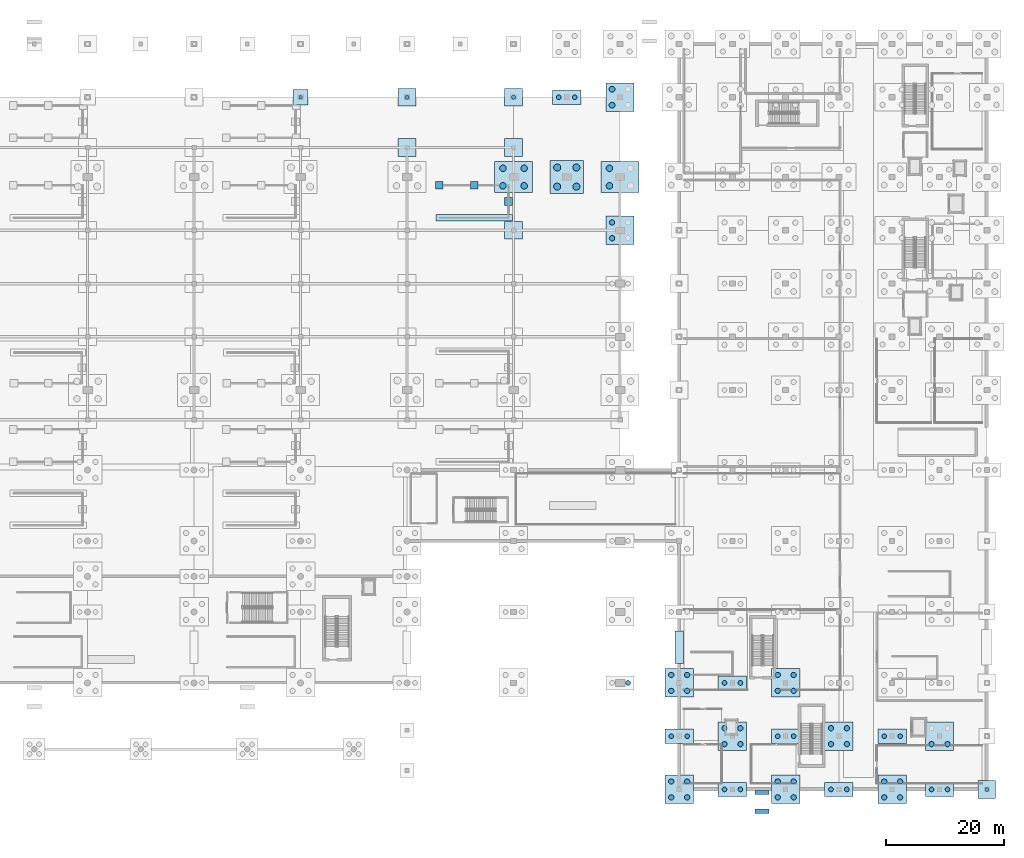
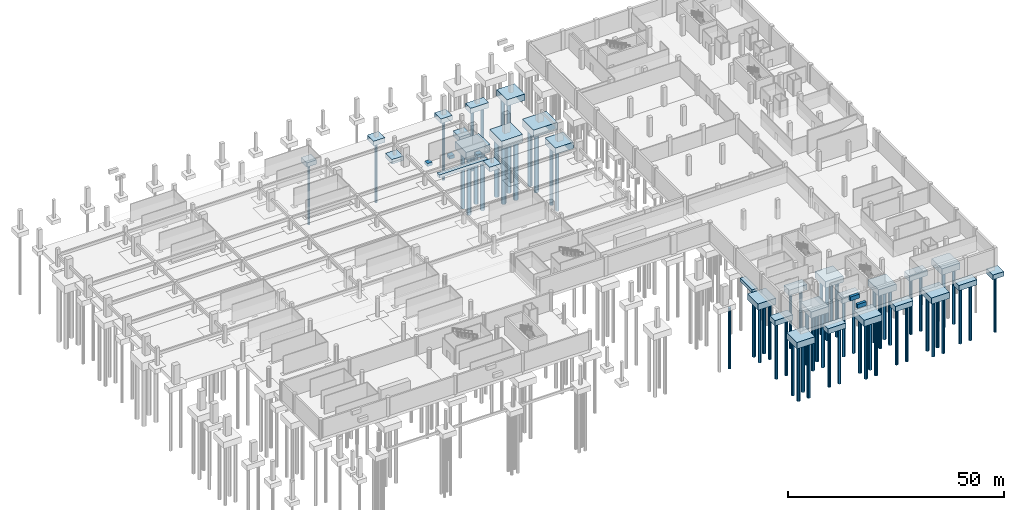
# One storey, part 5 of 26: 65 piles, 35 footings.
"""IFC4 building model written with IfcOpenShell, lengths in metres."""

from ifc_helpers import new_model, si_unit, direction, frame, origin, origin_2d, place, context, subcontext, project, spatial, polyline, circle, outline, extrude, material, material_profile, profile_set, type_object, element, save


model = new_model("IFC4")

# Units and contexts
model_context = context("Model", 3, precision=1e-05, world=origin(), true_north=direction((0.0, 1.0)))
body_context = subcontext(model_context, "Body", "Model", "MODEL_VIEW")
ifc_project = project(units=[si_unit("LENGTHUNIT", "METRE"), si_unit("AREAUNIT", "SQUARE_METRE"), si_unit("VOLUMEUNIT", "CUBIC_METRE"), si_unit("PLANEANGLEUNIT", "RADIAN"), si_unit("MASSUNIT", "GRAM", prefix="KILO")], contexts=[model_context])

# Site, building, storey
site_placement = place(None, origin())
site = spatial("IfcSite", under=ifc_project, at=site_placement, CompositionType="ELEMENT")
building_placement = place(site_placement, origin())
building = spatial("IfcBuilding", under=site, at=building_placement, Name="Chuanluo Vaults Station", CompositionType="ELEMENT")
storey_placement = place(building_placement, frame((0.0, 0.0, -5.39990234375)))
storey = spatial("IfcBuildingStorey", under=building, at=storey_placement, Name="B1", CompositionType="ELEMENT", Elevation=-5.39990234375)

# Footings
ifc_material_1 = material(Name="Concrete C40", Category="concrete")
footing_type_1 = type_object("IfcFootingType", Name="FTG-PAD-100", PredefinedType="PAD_FOOTING", material=ifc_material_1)
footing_1_placement = place(storey_placement, frame((0.0, 0.0, -0.85009765625)))
element("IfcFooting", 1, at=footing_1_placement, inside=storey, type_object=footing_type_1, Name="Stair shaft pad footing ST-15_R-2", PredefinedType="PAD_FOOTING", context=body_context, shape_type="SweptSolid", body=[
    extrude(outline(polyline([(100.6875, 101.449951171875), (101.987548828125, 101.449951171875), (101.987548828125, 102.75), (100.6875, 102.75), (100.6875, 101.449951171875)])), origin(), (0.0, 0.0, 1.0), 0.85009765625),
])
footing_2_placement = place(storey_placement, frame((0.0, 0.0, -0.85009765625)))
element("IfcFooting", 2, at=footing_2_placement, inside=storey, type_object=footing_type_1, Name="Stair shaft pad footing ST-15_R-3", PredefinedType="PAD_FOOTING", context=body_context, shape_type="SweptSolid", body=[
    extrude(outline(polyline([(94.77490234375, 101.449951171875), (96.074951171875, 101.449951171875), (96.074951171875, 102.75), (94.77490234375, 102.75), (94.77490234375, 101.449951171875)])), origin(), (0.0, 0.0, 1.0), 0.85009765625),
])
footing_3_placement = place(storey_placement, frame((0.0, 0.0, -0.85009765625)))
element("IfcFooting", 3, at=footing_3_placement, inside=storey, type_object=footing_type_1, Name="Stair shaft pad footing ST-15_F-2", PredefinedType="PAD_FOOTING", context=body_context, shape_type="SweptSolid", body=[
    extrude(outline(polyline([(106.5, 98.72509765625), (107.800048828125, 98.72509765625), (107.800048828125, 100.02490234375), (106.5, 100.02490234375), (106.5, 98.72509765625)])), origin(), (0.0, 0.0, 1.0), 0.85009765625),
])
ifc_material_2 = material(Name="Concrete C40", Category="concrete")
footing_type_2 = type_object("IfcFootingType", Name="FTG-PC-1", PredefinedType="PILE_CAP", material=ifc_material_2)
footing_4_placement = place(storey_placement, frame((0.0, 0.0, -2.2001953125)))
element("IfcFooting", 4, at=footing_4_placement, inside=storey, type_object=footing_type_2, Name="Pile cap PC-070", PredefinedType="PILE_CAP", context=body_context, shape_type="SweptSolid", body=[
    extrude(outline(polyline([(114.199951171875, 100.699951171875), (119.800048828125, 100.699951171875), (119.800048828125, 106.300048828125), (114.199951171875, 106.300048828125), (114.199951171875, 100.699951171875)])), origin(), (0.0, 0.0, 1.0), 2.2001953125),
])
ifc_material_3 = material(Name="Concrete C40", Category="concrete")
footing_type_3 = type_object("IfcFootingType", Name="FTG-PC-11", PredefinedType="PAD_FOOTING", material=ifc_material_3)
footing_5_placement = place(storey_placement, frame((0.0, 0.0, 4.119873046875)))
element("IfcFooting", 5, at=footing_5_placement, inside=storey, type_object=footing_type_3, Name="Accessible ramp foundation pad RM-A3-1", PredefinedType="PAD_FOOTING", context=body_context, shape_type="SweptSolid", body=[
    extrude(outline(polyline([(148.800048828125, -4.050048828125), (151.199951171875, -4.050048828125), (151.199951171875, -3.35009765625), (148.800048828125, -3.35009765625), (148.800048828125, -4.050048828125)])), origin(), (0.0, 0.0, 1.0), 1.10009765625),
])
footing_6_placement = place(storey_placement, frame((0.0, 0.0, 4.2998046875)))
element("IfcFooting", 6, at=footing_6_placement, inside=storey, type_object=footing_type_3, Name="Accessible ramp foundation pad RM-A3-2", PredefinedType="PAD_FOOTING", context=body_context, shape_type="SweptSolid", body=[
    extrude(outline(polyline([(148.800048828125, -0.85009765625), (151.199951171875, -0.85009765625), (151.199951171875, -0.14990234375), (148.800048828125, -0.14990234375), (148.800048828125, -0.85009765625)])), origin(), (0.0, 0.0, 1.0), 1.10009765625),
])
ifc_material_4 = material(Name="Concrete C40", Category="concrete")
footing_type_4 = type_object("IfcFootingType", Name="FTG-PC-2", PredefinedType="PILE_CAP", material=ifc_material_4)
footing_7_placement = place(storey_placement, frame((0.0, 0.0, -1.800048828125)))
element("IfcFooting", 7, at=footing_7_placement, inside=storey, type_object=footing_type_4, Name="Pile cap PC-080", PredefinedType="PILE_CAP", context=body_context, shape_type="SweptSolid", body=[
    extrude(outline(polyline([(123.60009765625, 92.10009765625), (128.39990234375, 92.10009765625), (128.39990234375, 96.89990234375), (123.60009765625, 96.89990234375), (123.60009765625, 92.10009765625)])), origin(), (0.0, 0.0, 1.0), 1.800048828125),
])
footing_8_placement = place(storey_placement, frame((0.0, 0.0, -1.800048828125)))
element("IfcFooting", 8, at=footing_8_placement, inside=storey, type_object=footing_type_4, Name="Pile cap PC-082", PredefinedType="PILE_CAP", context=body_context, shape_type="SweptSolid", body=[
    extrude(outline(polyline([(123.60009765625, 114.60009765625), (128.39990234375, 114.60009765625), (128.39990234375, 119.39990234375), (123.60009765625, 119.39990234375), (123.60009765625, 114.60009765625)])), origin(), (0.0, 0.0, 1.0), 1.800048828125),
])
footing_9_placement = place(storey_placement, frame((0.0, 0.0, -3.0)))
element("IfcFooting", 9, at=footing_9_placement, inside=storey, type_object=footing_type_4, Name="Pile cap PC-084", PredefinedType="PILE_CAP", context=body_context, shape_type="SweptSolid", body=[
    extrude(outline(polyline([(133.60009765625, -2.39990234375), (138.39990234375, -2.39990234375), (138.39990234375, 2.39990234375), (133.60009765625, 2.39990234375), (133.60009765625, -2.39990234375)])), origin(), (0.0, 0.0, 1.0), 1.7998046875),
])
footing_10_placement = place(storey_placement, frame((0.0, 0.0, -3.0)))
element("IfcFooting", 10, at=footing_10_placement, inside=storey, type_object=footing_type_4, Name="Pile cap PC-086", PredefinedType="PILE_CAP", context=body_context, shape_type="SweptSolid", body=[
    extrude(outline(polyline([(133.60009765625, 15.60009765625), (138.39990234375, 15.60009765625), (138.39990234375, 20.39990234375), (133.60009765625, 20.39990234375), (133.60009765625, 15.60009765625)])), origin(), (0.0, 0.0, 1.0), 1.7998046875),
])
footing_11_placement = place(storey_placement, frame((0.0, 0.0, -3.0)))
element("IfcFooting", 11, at=footing_11_placement, inside=storey, type_object=footing_type_4, Name="Pile cap PC-098", PredefinedType="PILE_CAP", context=body_context, shape_type="SweptSolid", body=[
    extrude(outline(polyline([(142.60009765625, 6.60009765625), (147.39990234375, 6.60009765625), (147.39990234375, 11.39990234375), (142.60009765625, 11.39990234375), (142.60009765625, 6.60009765625)])), origin(), (0.0, 0.0, 1.0), 1.7998046875),
])
footing_12_placement = place(storey_placement, frame((0.0, 0.0, -3.0)))
element("IfcFooting", 12, at=footing_12_placement, inside=storey, type_object=footing_type_4, Name="Pile cap PC-110", PredefinedType="PILE_CAP", context=body_context, shape_type="SweptSolid", body=[
    extrude(outline(polyline([(151.60009765625, -2.39990234375), (156.39990234375, -2.39990234375), (156.39990234375, 2.39990234375), (151.60009765625, 2.39990234375), (151.60009765625, -2.39990234375)])), origin(), (0.0, 0.0, 1.0), 1.7998046875),
])
footing_13_placement = place(storey_placement, frame((0.0, 0.0, -3.0)))
element("IfcFooting", 13, at=footing_13_placement, inside=storey, type_object=footing_type_4, Name="Pile cap PC-112", PredefinedType="PILE_CAP", context=body_context, shape_type="SweptSolid", body=[
    extrude(outline(polyline([(151.60009765625, 15.60009765625), (156.39990234375, 15.60009765625), (156.39990234375, 20.39990234375), (151.60009765625, 20.39990234375), (151.60009765625, 15.60009765625)])), origin(), (0.0, 0.0, 1.0), 1.7998046875),
])
footing_14_placement = place(storey_placement, frame((0.0, 0.0, -3.0)))
element("IfcFooting", 14, at=footing_14_placement, inside=storey, type_object=footing_type_4, Name="Pile cap PC-124", PredefinedType="PILE_CAP", context=body_context, shape_type="SweptSolid", body=[
    extrude(outline(polyline([(160.60009765625, 6.60009765625), (165.39990234375, 6.60009765625), (165.39990234375, 11.39990234375), (160.60009765625, 11.39990234375), (160.60009765625, 6.60009765625)])), origin(), (0.0, 0.0, 1.0), 1.7998046875),
])
footing_15_placement = place(storey_placement, frame((0.0, 0.0, -3.0)))
element("IfcFooting", 15, at=footing_15_placement, inside=storey, type_object=footing_type_4, Name="Pile cap PC-136", PredefinedType="PILE_CAP", context=body_context, shape_type="SweptSolid", body=[
    extrude(outline(polyline([(169.60009765625, -2.39990234375), (174.39990234375, -2.39990234375), (174.39990234375, 2.39990234375), (169.60009765625, 2.39990234375), (169.60009765625, -2.39990234375)])), origin(), (0.0, 0.0, 1.0), 1.7998046875),
])
footing_16_placement = place(storey_placement, frame((0.0, 0.0, -3.0)))
element("IfcFooting", 16, at=footing_16_placement, inside=storey, type_object=footing_type_4, Name="Pile cap PC-150", PredefinedType="PILE_CAP", context=body_context, shape_type="SweptSolid", body=[
    extrude(outline(polyline([(177.60009765625, 6.60009765625), (182.39990234375, 6.60009765625), (182.39990234375, 11.39990234375), (177.60009765625, 11.39990234375), (177.60009765625, 6.60009765625)])), origin(), (0.0, 0.0, 1.0), 1.7998046875),
])
ifc_material_5 = material(Name="Concrete C40", Category="concrete")
footing_type_5 = type_object("IfcFootingType", Name="FTG-PC-5", PredefinedType="PILE_CAP", material=ifc_material_5)
footing_17_placement = place(storey_placement, frame((0.0, 0.0, -1.300048828125)))
element("IfcFooting", 17, at=footing_17_placement, inside=storey, type_object=footing_type_5, Name="Pile cap PC-060", PredefinedType="PILE_CAP", context=body_context, shape_type="SweptSolid", body=[
    extrude(outline(polyline([(88.5, 115.5), (91.5, 115.5), (91.5, 118.5), (88.5, 118.5), (88.5, 115.5)])), origin(), (0.0, 0.0, 1.0), 1.300048828125),
])
footing_18_placement = place(storey_placement, frame((0.0, 0.0, -1.300048828125)))
element("IfcFooting", 18, at=footing_18_placement, inside=storey, type_object=footing_type_5, Name="Pile cap PC-068", PredefinedType="PILE_CAP", context=body_context, shape_type="SweptSolid", body=[
    extrude(outline(polyline([(106.5, 115.5), (109.5, 115.5), (109.5, 118.5), (106.5, 118.5), (106.5, 115.5)])), origin(), (0.0, 0.0, 1.0), 1.300048828125),
])
footing_19_placement = place(storey_placement, frame((0.0, 0.0, -2.5)))
element("IfcFooting", 19, at=footing_19_placement, inside=storey, type_object=footing_type_5, Name="Pile cap PC-162", PredefinedType="PILE_CAP", context=body_context, shape_type="SweptSolid", body=[
    extrude(outline(polyline([(186.5, -1.5), (189.5, -1.5), (189.5, 1.5), (186.5, 1.5), (186.5, -1.5)])), origin(), (0.0, 0.0, 1.0), 1.2998046875),
])
footing_20_placement = place(storey_placement, frame((0.0, 0.0, -1.300048828125)))
element("IfcFooting", 20, at=footing_20_placement, inside=storey, type_object=footing_type_5, Name="Platform pier footing TRK-051", PredefinedType="PILE_CAP", context=body_context, shape_type="SweptSolid", body=[
    extrude(outline(polyline([(106.5, 93.0), (109.5, 93.0), (109.5, 96.0), (106.5, 96.0), (106.5, 93.0)])), origin(), (0.0, 0.0, 1.0), 1.300048828125),
])
footing_21_placement = place(storey_placement, frame((0.0, 0.0, -1.300048828125)))
element("IfcFooting", 21, at=footing_21_placement, inside=storey, type_object=footing_type_5, Name="Platform pier footing TRK-063", PredefinedType="PILE_CAP", context=body_context, shape_type="SweptSolid", body=[
    extrude(outline(polyline([(88.5, 107.0), (91.5, 107.0), (91.5, 110.0), (88.5, 110.0), (88.5, 107.0)])), origin(), (0.0, 0.0, 1.0), 1.300048828125),
])
footing_22_placement = place(storey_placement, frame((0.0, 0.0, -1.300048828125)))
element("IfcFooting", 22, at=footing_22_placement, inside=storey, type_object=footing_type_5, Name="Platform pier footing TRK-065", PredefinedType="PILE_CAP", context=body_context, shape_type="SweptSolid", body=[
    extrude(outline(polyline([(106.5, 107.0), (109.5, 107.0), (109.5, 110.0), (106.5, 110.0), (106.5, 107.0)])), origin(), (0.0, 0.0, 1.0), 1.300048828125),
])
ifc_material_6 = material(Name="Concrete C40", Category="concrete")
footing_type_6 = type_object("IfcFootingType", Name="FTG-PC-6", PredefinedType="PILE_CAP", material=ifc_material_6)
footing_23_placement = place(storey_placement, frame((0.0, 0.0, -1.2001953125)))
element("IfcFooting", 23, at=footing_23_placement, inside=storey, type_object=footing_type_6, Name="Pile cap PC-051", PredefinedType="PILE_CAP", context=body_context, shape_type="SweptSolid", body=[
    extrude(outline(polyline([(70.699951171875, 115.699951171875), (73.300048828125, 115.699951171875), (73.300048828125, 118.300048828125), (70.699951171875, 118.300048828125), (70.699951171875, 115.699951171875)])), origin(), (0.0, 0.0, 1.0), 1.2001953125),
])
ifc_material_7 = material(Name="Concrete C40", Category="concrete")
footing_type_7 = type_object("IfcFootingType", Name="FTG-PC-7", PredefinedType="PILE_CAP", material=ifc_material_7)
footing_24_placement = place(storey_placement, frame((0.0, 0.0, -1.5)))
element("IfcFooting", 24, at=footing_24_placement, inside=storey, type_object=footing_type_7, Name="Pile cap PC-071", PredefinedType="PILE_CAP", context=body_context, shape_type="SweptSolid", body=[
    extrude(outline(polyline([(114.60009765625, 115.800048828125), (119.39990234375, 115.800048828125), (119.39990234375, 118.199951171875), (114.60009765625, 118.199951171875), (114.60009765625, 115.800048828125)])), origin(), (0.0, 0.0, 1.0), 1.5),
])
footing_25_placement = place(storey_placement, frame((0.0, 0.0, -2.7001953125)))
element("IfcFooting", 25, at=footing_25_placement, inside=storey, type_object=footing_type_7, Name="Pile cap PC-085", PredefinedType="PILE_CAP", context=body_context, shape_type="SweptSolid", body=[
    extrude(outline(polyline([(133.60009765625, 7.800048828125), (138.39990234375, 7.800048828125), (138.39990234375, 10.199951171875), (133.60009765625, 10.199951171875), (133.60009765625, 7.800048828125)])), origin(), (0.0, 0.0, 1.0), 1.5),
])
footing_26_placement = place(storey_placement, frame((0.0, 0.0, -2.7001953125)))
element("IfcFooting", 26, at=footing_26_placement, inside=storey, type_object=footing_type_7, Name="Pile cap PC-097", PredefinedType="PILE_CAP", context=body_context, shape_type="SweptSolid", body=[
    extrude(outline(polyline([(142.60009765625, -1.199951171875), (147.39990234375, -1.199951171875), (147.39990234375, 1.199951171875), (142.60009765625, 1.199951171875), (142.60009765625, -1.199951171875)])), origin(), (0.0, 0.0, 1.0), 1.5),
])
footing_27_placement = place(storey_placement, frame((0.0, 0.0, -2.7001953125)))
element("IfcFooting", 27, at=footing_27_placement, inside=storey, type_object=footing_type_7, Name="Pile cap PC-099", PredefinedType="PILE_CAP", context=body_context, shape_type="SweptSolid", body=[
    extrude(outline(polyline([(142.60009765625, 16.800048828125), (147.39990234375, 16.800048828125), (147.39990234375, 19.199951171875), (142.60009765625, 19.199951171875), (142.60009765625, 16.800048828125)])), origin(), (0.0, 0.0, 1.0), 1.5),
])
footing_28_placement = place(storey_placement, frame((0.0, 0.0, -2.7001953125)))
element("IfcFooting", 28, at=footing_28_placement, inside=storey, type_object=footing_type_7, Name="Pile cap PC-111", PredefinedType="PILE_CAP", context=body_context, shape_type="SweptSolid", body=[
    extrude(outline(polyline([(151.60009765625, 7.800048828125), (156.39990234375, 7.800048828125), (156.39990234375, 10.199951171875), (151.60009765625, 10.199951171875), (151.60009765625, 7.800048828125)])), origin(), (0.0, 0.0, 1.0), 1.5),
])
footing_29_placement = place(storey_placement, frame((0.0, 0.0, -2.7001953125)))
element("IfcFooting", 29, at=footing_29_placement, inside=storey, type_object=footing_type_7, Name="Pile cap PC-123", PredefinedType="PILE_CAP", context=body_context, shape_type="SweptSolid", body=[
    extrude(outline(polyline([(160.60009765625, -1.199951171875), (165.39990234375, -1.199951171875), (165.39990234375, 1.199951171875), (160.60009765625, 1.199951171875), (160.60009765625, -1.199951171875)])), origin(), (0.0, 0.0, 1.0), 1.5),
])
footing_30_placement = place(storey_placement, frame((0.0, 0.0, -2.7001953125)))
element("IfcFooting", 30, at=footing_30_placement, inside=storey, type_object=footing_type_7, Name="Pile cap PC-137", PredefinedType="PILE_CAP", context=body_context, shape_type="SweptSolid", body=[
    extrude(outline(polyline([(169.60009765625, 7.800048828125), (174.39990234375, 7.800048828125), (174.39990234375, 10.199951171875), (169.60009765625, 10.199951171875), (169.60009765625, 7.800048828125)])), origin(), (0.0, 0.0, 1.0), 1.5),
])
footing_31_placement = place(storey_placement, frame((0.0, 0.0, -2.7001953125)))
element("IfcFooting", 31, at=footing_31_placement, inside=storey, type_object=footing_type_7, Name="Pile cap PC-149", PredefinedType="PILE_CAP", context=body_context, shape_type="SweptSolid", body=[
    extrude(outline(polyline([(177.60009765625, -1.199951171875), (182.39990234375, -1.199951171875), (182.39990234375, 1.199951171875), (177.60009765625, 1.199951171875), (177.60009765625, -1.199951171875)])), origin(), (0.0, 0.0, 1.0), 1.5),
])
ifc_material_8 = material(Name="Concrete C40", Category="concrete")
footing_type_8 = type_object("IfcFootingType", Name="FTG-PC-9", PredefinedType="PILE_CAP", material=ifc_material_8)
footing_32_placement = place(storey_placement, frame((0.0, 0.0, -2.10009765625)))
element("IfcFooting", 32, at=footing_32_placement, inside=storey, type_object=footing_type_8, Name="Pile cap PC-067", PredefinedType="PILE_CAP", context=body_context, shape_type="SweptSolid", body=[
    extrude(outline(polyline([(104.800048828125, 100.89990234375), (111.199951171875, 100.89990234375), (111.199951171875, 106.10009765625), (104.800048828125, 106.10009765625), (104.800048828125, 100.89990234375)])), origin(), (0.0, 0.0, 1.0), 2.10009765625),
])
footing_33_placement = place(storey_placement, frame((0.0, 0.0, -2.10009765625)))
element("IfcFooting", 33, at=footing_33_placement, inside=storey, type_object=footing_type_8, Name="Pile cap PC-081", PredefinedType="PILE_CAP", context=body_context, shape_type="SweptSolid", body=[
    extrude(outline(polyline([(122.800048828125, 100.89990234375), (129.199951171875, 100.89990234375), (129.199951171875, 106.10009765625), (122.800048828125, 106.10009765625), (122.800048828125, 100.89990234375)])), origin(), (0.0, 0.0, 1.0), 2.10009765625),
])
ifc_material_9 = material(Name="Concrete C40", Category="concrete")
footing_type_9 = type_object("IfcFootingType", Name="FTG-SF-2", PredefinedType="STRIP_FOOTING", material=ifc_material_9)
footing_34_placement = place(storey_placement, frame((0.0, 0.0, -2.10009765625)))
element("IfcFooting", 34, at=footing_34_placement, inside=storey, type_object=footing_type_9, Name="Perimeter wall strip footing SF-04", PredefinedType="STRIP_FOOTING", context=body_context, shape_type="SweptSolid", body=[
    extrude(outline(polyline([(135.25, 21.25), (136.75, 21.25), (136.75, 26.75), (135.25, 26.75), (135.25, 21.25)])), origin(), (0.0, 0.0, 1.0), 0.89990234375),
])
ifc_material_10 = material(Name="Concrete C40", Category="concrete")
footing_type_10 = type_object("IfcFootingType", Name="FTG-SF-3", PredefinedType="STRIP_FOOTING", material=ifc_material_10)
footing_35_placement = place(storey_placement, frame((0.0, 0.0, -0.85009765625)))
element("IfcFooting", 35, at=footing_35_placement, inside=storey, type_object=footing_type_10, Name="Stair shaft strip footing ST-15_L", PredefinedType="STRIP_FOOTING", context=body_context, shape_type="SweptSolid", body=[
    extrude(outline(polyline([(94.875, 96.10009765625), (107.800048828125, 96.10009765625), (107.800048828125, 97.199951171875), (94.875, 97.199951171875), (94.875, 96.10009765625)])), origin(), (0.0, 0.0, 1.0), 0.85009765625),
])

# Piles
ifc_material_11 = material(Name="Concrete C40", Category="concrete")
ifc_material_profile_1 = material_profile(ifc_material_11, circle(Radius=0.5, at=origin_2d()))
ifc_profile_set_1 = profile_set([ifc_material_profile_1], Name="Concrete C40")
pile_type_1 = type_object("IfcPileType", Name="PIL-1000", PredefinedType="BORED", material=ifc_profile_set_1)
for number, where, z_axis, x_axis, name in (
    (36, (124.64990234375, 115.64990234375, -1.68017578125), (0.0, 0.0, -1.0), (1.0, 0.0, 0.0), "Rock-socketed bored pile 223"),
    (37, (124.64990234375, 118.35009765625, -1.68017578125), (0.0, 0.0, -1.0), (1.0, 0.0, 0.0), "Rock-socketed bored pile 225"),
):
    element("IfcPile", number, at=place(storey_placement, frame(where, z_axis=z_axis, x_axis=x_axis)), inside=storey, type_object=pile_type_1, Name=name, PredefinedType="BORED", context=body_context, shape_type="SweptSolid", body=[
        extrude(circle(Radius=0.5, at=origin_2d()), origin(), (0.0, 0.0, 1.0), 16.919921875),
    ])
ifc_material_12 = material(Name="Concrete C40", Category="concrete")
ifc_material_profile_2 = material_profile(ifc_material_12, circle(Radius=0.550048828125, at=origin_2d()))
ifc_profile_set_2 = profile_set([ifc_material_profile_2], Name="Concrete C40")
pile_type_2 = type_object("IfcPileType", Name="PIL-1100", PredefinedType="BORED", material=ifc_profile_set_2)
for number, where, z_axis, x_axis, name in (
    (38, (106.2080078125, 102.014892578125, -1.97998046875), (0.0, 0.0, -1.0), (1.0, 0.0, 0.0), "Rock-socketed bored pile 177"),
    (39, (109.7919921875, 102.014892578125, -1.97998046875), (0.0, 0.0, -1.0), (1.0, 0.0, 0.0), "Rock-socketed bored pile 178"),
    (40, (106.2080078125, 104.985107421875, -1.97998046875), (0.0, 0.0, -1.0), (1.0, 0.0, 0.0), "Rock-socketed bored pile 179"),
    (41, (109.7919921875, 104.985107421875, -1.97998046875), (0.0, 0.0, -1.0), (1.0, 0.0, 0.0), "Rock-socketed bored pile 180"),
    (42, (124.2080078125, 102.014892578125, -1.97998046875), (0.0, 0.0, -1.0), (1.0, 0.0, 0.0), "Rock-socketed bored pile 219"),
    (43, (124.2080078125, 104.985107421875, -1.97998046875), (0.0, 0.0, -1.0), (1.0, 0.0, 0.0), "Rock-socketed bored pile 221"),
):
    element("IfcPile", number, at=place(storey_placement, frame(where, z_axis=z_axis, x_axis=x_axis)), inside=storey, type_object=pile_type_2, Name=name, PredefinedType="BORED", context=body_context, shape_type="SweptSolid", body=[
        extrude(circle(Radius=0.550048828125, at=origin_2d()), origin(), (0.0, 0.0, 1.0), 16.6201171875),
    ])
ifc_material_13 = material(Name="Concrete C40", Category="concrete")
ifc_material_profile_3 = material_profile(ifc_material_13, circle(Radius=0.60009765625, at=origin_2d()))
ifc_profile_set_3 = profile_set([ifc_material_profile_3], Name="Concrete C40")
pile_type_3 = type_object("IfcPileType", Name="PIL-1200", PredefinedType="BORED", material=ifc_profile_set_3)
for number, where, z_axis, x_axis, name in (
    (44, (115.3798828125, 101.8798828125, -2.080078125), (0.0, 0.0, -1.0), (1.0, 0.0, 0.0), "Rock-socketed bored pile 183"),
    (45, (118.6201171875, 101.8798828125, -2.080078125), (0.0, 0.0, -1.0), (1.0, 0.0, 0.0), "Rock-socketed bored pile 184"),
    (46, (115.3798828125, 105.1201171875, -2.080078125), (0.0, 0.0, -1.0), (1.0, 0.0, 0.0), "Rock-socketed bored pile 185"),
    (47, (118.6201171875, 105.1201171875, -2.080078125), (0.0, 0.0, -1.0), (1.0, 0.0, 0.0), "Rock-socketed bored pile 186"),
):
    element("IfcPile", number, at=place(storey_placement, frame(where, z_axis=z_axis, x_axis=x_axis)), inside=storey, type_object=pile_type_3, Name=name, PredefinedType="BORED", context=body_context, shape_type="SweptSolid", body=[
        extrude(circle(Radius=0.60009765625, at=origin_2d()), origin(), (0.0, 0.0, 1.0), 16.52001953125),
    ])
ifc_material_14 = material(Name="Concrete C40", Category="concrete")
ifc_material_profile_4 = material_profile(ifc_material_14, circle(Radius=0.300048828125, at=origin_2d()))
ifc_profile_set_4 = profile_set([ifc_material_profile_4], Name="Concrete C40")
pile_type_4 = type_object("IfcPileType", Name="PIL-600", PredefinedType="BORED", material=ifc_profile_set_4)
pile_1_placement = place(storey_placement, frame((72.0, 117.0, -1.080078125), z_axis=(0.0, 0.0, -1.0), x_axis=(1.0, 0.0, 0.0)))
element("IfcPile", 48, at=pile_1_placement, inside=storey, type_object=pile_type_4, Name="Rock-socketed bored pile 135", PredefinedType="BORED", context=body_context, shape_type="SweptSolid", body=[
    extrude(circle(Radius=0.300048828125, at=origin_2d()), origin(), (0.0, 0.0, 1.0), 17.52001953125),
])
ifc_material_15 = material(Name="Concrete C40", Category="concrete")
ifc_material_profile_5 = material_profile(ifc_material_15, circle(Radius=0.35009765625, at=origin_2d()))
ifc_profile_set_5 = profile_set([ifc_material_profile_5], Name="Concrete C40")
pile_type_5 = type_object("IfcPileType", Name="PIL-700", PredefinedType="BORED", material=ifc_profile_set_5)
for number, where, z_axis, x_axis, name in (
    (49, (90.0, 117.0, -1.18017578125), (0.0, 0.0, -1.0), (1.0, 0.0, 0.0), "Rock-socketed bored pile 159"),
    (50, (108.0, 117.0, -1.18017578125), (0.0, 0.0, -1.0), (1.0, 0.0, 0.0), "Rock-socketed bored pile 181"),
):
    element("IfcPile", number, at=place(storey_placement, frame(where, z_axis=z_axis, x_axis=x_axis)), inside=storey, type_object=pile_type_5, Name=name, PredefinedType="BORED", context=body_context, shape_type="SweptSolid", body=[
        extrude(circle(Radius=0.35009765625, at=origin_2d()), origin(), (0.0, 0.0, 1.0), 17.419921875),
    ])
pile_2_placement = place(storey_placement, frame((188.0, 0.0, -2.380126953125), z_axis=(0.0, 0.0, -1.0), x_axis=(1.0, 0.0, 0.0)))
element("IfcPile", 51, at=pile_2_placement, inside=storey, type_object=pile_type_5, Name="Rock-socketed bored pile 486", PredefinedType="BORED", context=body_context, shape_type="SweptSolid", body=[
    extrude(circle(Radius=0.35009765625, at=origin_2d()), origin(), (0.0, 0.0, 1.0), 16.219970703125),
])
ifc_material_16 = material(Name="Concrete C40", Category="concrete")
ifc_material_profile_6 = material_profile(ifc_material_16, circle(Radius=0.39990234375, at=origin_2d()))
ifc_profile_set_6 = profile_set([ifc_material_profile_6], Name="Concrete C40")
pile_type_6 = type_object("IfcPileType", Name="PIL-800", PredefinedType="BORED", material=ifc_profile_set_6)
for number, where, z_axis, x_axis, name in (
    (52, (115.656005859375, 117.0, -1.380126953125), (0.0, 0.0, -1.0), (1.0, 0.0, 0.0), "Rock-socketed bored pile 187"),
    (53, (118.343994140625, 117.0, -1.380126953125), (0.0, 0.0, -1.0), (1.0, 0.0, 0.0), "Rock-socketed bored pile 188"),
    (54, (127.343994140625, 18.0, -1.380126953125), (0.0, 0.0, -1.0), (1.0, 0.0, 0.0), "Rock-socketed bored pile 194"),
):
    element("IfcPile", number, at=place(storey_placement, frame(where, z_axis=z_axis, x_axis=x_axis)), inside=storey, type_object=pile_type_6, Name=name, PredefinedType="BORED", context=body_context, shape_type="SweptSolid", body=[
        extrude(circle(Radius=0.39990234375, at=origin_2d()), origin(), (0.0, 0.0, 1.0), 17.219970703125),
    ])
for number, where, z_axis, x_axis, name in (
    (55, (134.656005859375, 9.0, -2.580078125), (0.0, 0.0, -1.0), (1.0, 0.0, 0.0), "Rock-socketed bored pile 235"),
    (56, (137.343994140625, 9.0, -2.580078125), (0.0, 0.0, -1.0), (1.0, 0.0, 0.0), "Rock-socketed bored pile 236"),
    (57, (143.656005859375, 0.0, -2.580078125), (0.0, 0.0, -1.0), (1.0, 0.0, 0.0), "Rock-socketed bored pile 264"),
    (58, (146.343994140625, 0.0, -2.580078125), (0.0, 0.0, -1.0), (1.0, 0.0, 0.0), "Rock-socketed bored pile 265"),
    (59, (143.656005859375, 18.0, -2.580078125), (0.0, 0.0, -1.0), (1.0, 0.0, 0.0), "Rock-socketed bored pile 270"),
    (60, (146.343994140625, 18.0, -2.580078125), (0.0, 0.0, -1.0), (1.0, 0.0, 0.0), "Rock-socketed bored pile 271"),
    (61, (152.656005859375, 9.0, -2.580078125), (0.0, 0.0, -1.0), (1.0, 0.0, 0.0), "Rock-socketed bored pile 310"),
    (62, (155.343994140625, 9.0, -2.580078125), (0.0, 0.0, -1.0), (1.0, 0.0, 0.0), "Rock-socketed bored pile 311"),
    (63, (161.656005859375, 0.0, -2.580078125), (0.0, 0.0, -1.0), (1.0, 0.0, 0.0), "Rock-socketed bored pile 352"),
    (64, (164.343994140625, 0.0, -2.580078125), (0.0, 0.0, -1.0), (1.0, 0.0, 0.0), "Rock-socketed bored pile 353"),
    (65, (170.656005859375, 9.0, -2.580078125), (0.0, 0.0, -1.0), (1.0, 0.0, 0.0), "Rock-socketed bored pile 400"),
    (66, (173.343994140625, 9.0, -2.580078125), (0.0, 0.0, -1.0), (1.0, 0.0, 0.0), "Rock-socketed bored pile 401"),
    (67, (178.656005859375, 0.0, -2.580078125), (0.0, 0.0, -1.0), (1.0, 0.0, 0.0), "Rock-socketed bored pile 442"),
    (68, (181.343994140625, 0.0, -2.580078125), (0.0, 0.0, -1.0), (1.0, 0.0, 0.0), "Rock-socketed bored pile 443"),
):
    element("IfcPile", number, at=place(storey_placement, frame(where, z_axis=z_axis, x_axis=x_axis)), inside=storey, type_object=pile_type_6, Name=name, PredefinedType="BORED", context=body_context, shape_type="SweptSolid", body=[
        extrude(circle(Radius=0.39990234375, at=origin_2d()), origin(), (0.0, 0.0, 1.0), 16.02001953125),
    ])
ifc_material_17 = material(Name="Concrete C40", Category="concrete")
ifc_material_profile_7 = material_profile(ifc_material_17, circle(Radius=0.449951171875, at=origin_2d()))
ifc_profile_set_7 = profile_set([ifc_material_profile_7], Name="Concrete C40")
pile_type_7 = type_object("IfcPileType", Name="PIL-900", PredefinedType="BORED", material=ifc_profile_set_7)
for number, where, z_axis, x_axis, name in (
    (69, (124.656005859375, 93.156005859375, -1.68017578125), (0.0, 0.0, -1.0), (1.0, 0.0, 0.0), "Rock-socketed bored pile 215"),
    (70, (124.656005859375, 95.843994140625, -1.68017578125), (0.0, 0.0, -1.0), (1.0, 0.0, 0.0), "Rock-socketed bored pile 217"),
):
    element("IfcPile", number, at=place(storey_placement, frame(where, z_axis=z_axis, x_axis=x_axis)), inside=storey, type_object=pile_type_7, Name=name, PredefinedType="BORED", context=body_context, shape_type="SweptSolid", body=[
        extrude(circle(Radius=0.449951171875, at=origin_2d()), origin(), (0.0, 0.0, 1.0), 16.919921875),
    ])
for number, where, z_axis, x_axis, name in (
    (71, (134.656005859375, -1.343994140625, -2.880126953125), (0.0, 0.0, -1.0), (1.0, 0.0, 0.0), "Rock-socketed bored pile 231"),
    (72, (137.343994140625, -1.343994140625, -2.880126953125), (0.0, 0.0, -1.0), (1.0, 0.0, 0.0), "Rock-socketed bored pile 232"),
    (73, (134.656005859375, 1.343994140625, -2.880126953125), (0.0, 0.0, -1.0), (1.0, 0.0, 0.0), "Rock-socketed bored pile 233"),
    (74, (137.343994140625, 1.343994140625, -2.880126953125), (0.0, 0.0, -1.0), (1.0, 0.0, 0.0), "Rock-socketed bored pile 234"),
    (75, (134.656005859375, 16.656005859375, -2.880126953125), (0.0, 0.0, -1.0), (1.0, 0.0, 0.0), "Rock-socketed bored pile 237"),
    (76, (137.343994140625, 16.656005859375, -2.880126953125), (0.0, 0.0, -1.0), (1.0, 0.0, 0.0), "Rock-socketed bored pile 238"),
    (77, (134.656005859375, 19.343994140625, -2.880126953125), (0.0, 0.0, -1.0), (1.0, 0.0, 0.0), "Rock-socketed bored pile 239"),
    (78, (137.343994140625, 19.343994140625, -2.880126953125), (0.0, 0.0, -1.0), (1.0, 0.0, 0.0), "Rock-socketed bored pile 240"),
    (79, (143.656005859375, 7.656005859375, -2.880126953125), (0.0, 0.0, -1.0), (1.0, 0.0, 0.0), "Rock-socketed bored pile 266"),
    (80, (146.343994140625, 7.656005859375, -2.880126953125), (0.0, 0.0, -1.0), (1.0, 0.0, 0.0), "Rock-socketed bored pile 267"),
    (81, (143.656005859375, 10.343994140625, -2.880126953125), (0.0, 0.0, -1.0), (1.0, 0.0, 0.0), "Rock-socketed bored pile 268"),
    (82, (146.343994140625, 10.343994140625, -2.880126953125), (0.0, 0.0, -1.0), (1.0, 0.0, 0.0), "Rock-socketed bored pile 269"),
    (83, (152.656005859375, -1.343994140625, -2.880126953125), (0.0, 0.0, -1.0), (1.0, 0.0, 0.0), "Rock-socketed bored pile 306"),
    (84, (155.343994140625, -1.343994140625, -2.880126953125), (0.0, 0.0, -1.0), (1.0, 0.0, 0.0), "Rock-socketed bored pile 307"),
    (85, (152.656005859375, 1.343994140625, -2.880126953125), (0.0, 0.0, -1.0), (1.0, 0.0, 0.0), "Rock-socketed bored pile 308"),
    (86, (155.343994140625, 1.343994140625, -2.880126953125), (0.0, 0.0, -1.0), (1.0, 0.0, 0.0), "Rock-socketed bored pile 309"),
    (87, (152.656005859375, 16.656005859375, -2.880126953125), (0.0, 0.0, -1.0), (1.0, 0.0, 0.0), "Rock-socketed bored pile 312"),
    (88, (155.343994140625, 16.656005859375, -2.880126953125), (0.0, 0.0, -1.0), (1.0, 0.0, 0.0), "Rock-socketed bored pile 313"),
    (89, (152.656005859375, 19.343994140625, -2.880126953125), (0.0, 0.0, -1.0), (1.0, 0.0, 0.0), "Rock-socketed bored pile 314"),
    (90, (155.343994140625, 19.343994140625, -2.880126953125), (0.0, 0.0, -1.0), (1.0, 0.0, 0.0), "Rock-socketed bored pile 315"),
    (91, (161.656005859375, 7.656005859375, -2.880126953125), (0.0, 0.0, -1.0), (1.0, 0.0, 0.0), "Rock-socketed bored pile 354"),
    (92, (164.343994140625, 7.656005859375, -2.880126953125), (0.0, 0.0, -1.0), (1.0, 0.0, 0.0), "Rock-socketed bored pile 355"),
    (93, (161.656005859375, 10.343994140625, -2.880126953125), (0.0, 0.0, -1.0), (1.0, 0.0, 0.0), "Rock-socketed bored pile 356"),
    (94, (164.343994140625, 10.343994140625, -2.880126953125), (0.0, 0.0, -1.0), (1.0, 0.0, 0.0), "Rock-socketed bored pile 357"),
    (95, (170.656005859375, -1.343994140625, -2.880126953125), (0.0, 0.0, -1.0), (1.0, 0.0, 0.0), "Rock-socketed bored pile 396"),
    (96, (173.343994140625, -1.343994140625, -2.880126953125), (0.0, 0.0, -1.0), (1.0, 0.0, 0.0), "Rock-socketed bored pile 397"),
    (97, (170.656005859375, 1.343994140625, -2.880126953125), (0.0, 0.0, -1.0), (1.0, 0.0, 0.0), "Rock-socketed bored pile 398"),
    (98, (173.343994140625, 1.343994140625, -2.880126953125), (0.0, 0.0, -1.0), (1.0, 0.0, 0.0), "Rock-socketed bored pile 399"),
    (99, (178.656005859375, 7.656005859375, -2.880126953125), (0.0, 0.0, -1.0), (1.0, 0.0, 0.0), "Rock-socketed bored pile 444"),
    (100, (181.343994140625, 7.656005859375, -2.880126953125), (0.0, 0.0, -1.0), (1.0, 0.0, 0.0), "Rock-socketed bored pile 445"),
):
    element("IfcPile", number, at=place(storey_placement, frame(where, z_axis=z_axis, x_axis=x_axis)), inside=storey, type_object=pile_type_7, Name=name, PredefinedType="BORED", context=body_context, shape_type="SweptSolid", body=[
        extrude(circle(Radius=0.449951171875, at=origin_2d()), origin(), (0.0, 0.0, 1.0), 15.719970703125),
    ])

save(model, "model.ifc")
